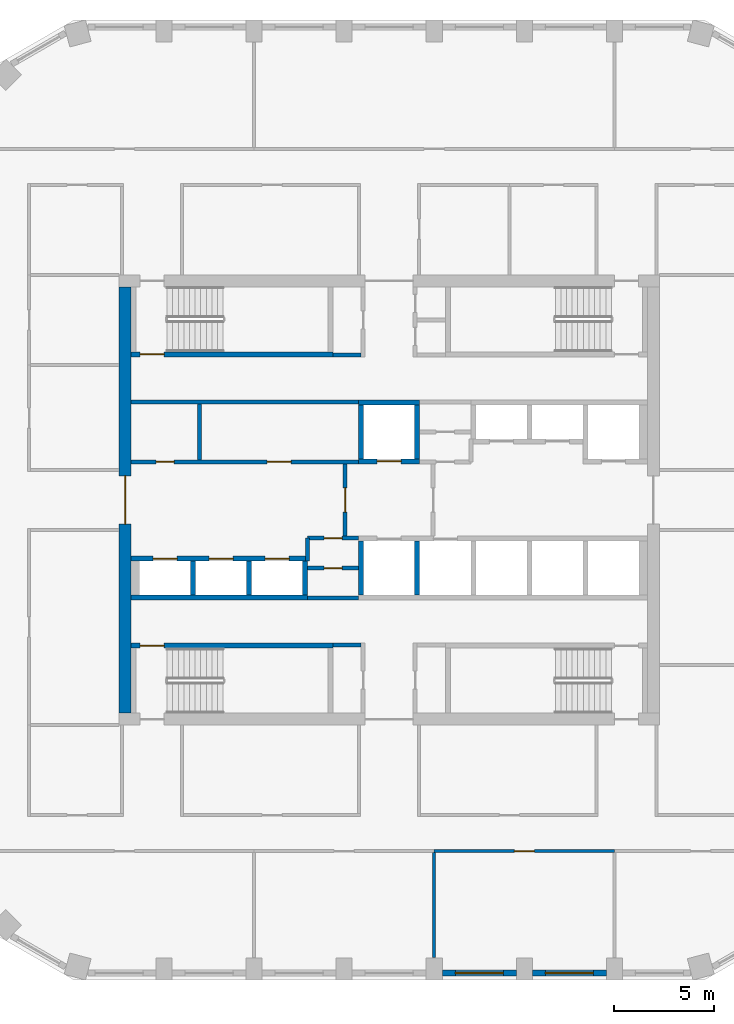
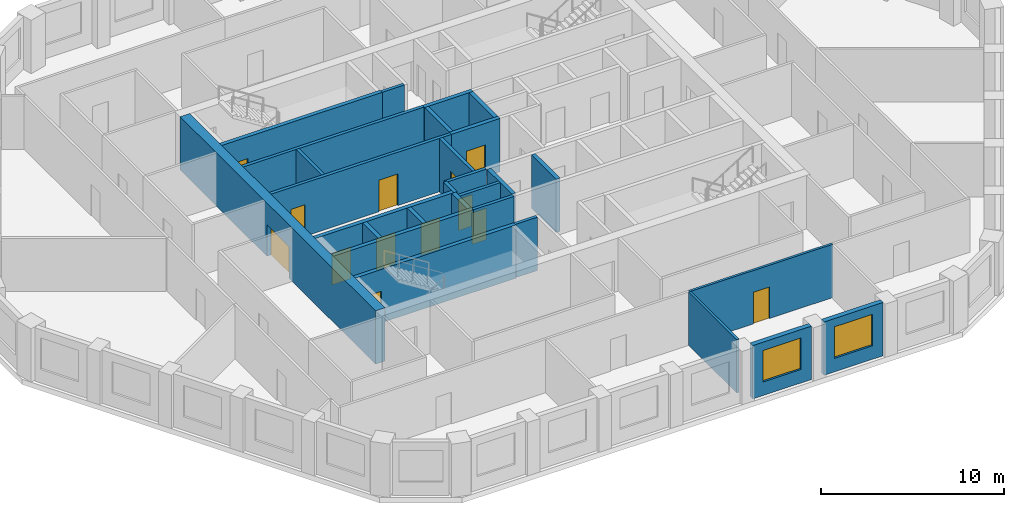
# One storey, part 3 of 9: 28 walls, 13 doors, 2 windows, 15 openings.
"""IFC4 building model written with IfcOpenShell, lengths in metres."""

import ifcopenshell
import ifcopenshell.guid

model = None  # the IFC model being written
_history = None  # IfcOwnerHistory: only IFC2X3 demands one
_inside = {}  # id of a spatial element -> (the spatial element, [elements in it])
_under = {}  # id of a project, library or spatial element -> (it, [spatial elements below it])
_declared = {}  # id of a project -> (the project, [libraries it declares])
_typed = {}  # id of a type object -> (the type object, [elements of that type])
_made_of = {}  # id of a material, layer set ... -> (it, [elements and type objects made of it])


def new_model(schema):
    """Start an empty IFC model of exactly this schema.

    Asked for "IFC4X3", IfcOpenShell would pick the latest addendum, in which some entities
    have other attributes; the version numbers below select the first issue.
    IFC2X3 requires an IfcOwnerHistory on every rooted entity: one is made here for all.
    """
    global model, _history
    if schema == "IFC4X3":
        model = ifcopenshell.file(schema_version=(4, 3, 0, 0))
    else:
        model = ifcopenshell.file(schema=schema)
    _inside.clear()
    _under.clear()
    _declared.clear()
    _typed.clear()
    _made_of.clear()
    _history = None
    if model.schema == "IFC2X3":
        org = make("IfcOrganization", Name="unknown")
        user = make(
            "IfcPersonAndOrganization",
            ThePerson=make("IfcPerson", FamilyName="unknown"),
            TheOrganization=org,
        )
        app = make(
            "IfcApplication",
            ApplicationDeveloper=org,
            Version="unknown",
            ApplicationFullName="unknown",
            ApplicationIdentifier="unknown",
        )
        _history = make(
            "IfcOwnerHistory",
            OwningUser=user,
            OwningApplication=app,
            ChangeAction="ADDED",
            CreationDate=0,
        )
    return model


def make(cls, **values):
    """One entity of the class cls with the attributes given. An attribute that is None is left unset."""
    return model.create_entity(
        cls, **{name: value for name, value in values.items() if value is not None}
    )


def rooted(cls, **values):
    """An entity with a GlobalId (a new one), such as an element, a storey or a relation."""
    return make(cls, GlobalId=ifcopenshell.guid.new(), OwnerHistory=_history, **values)


def si_unit(unit_type, name, prefix=None):
    """IfcSIUnit, for example si_unit("LENGTHUNIT", "METRE", prefix="MILLI")."""
    return make("IfcSIUnit", UnitType=unit_type, Prefix=prefix, Name=name)


def assignment(units):
    """IfcUnitAssignment: the units of a project."""
    return None if units is None else make("IfcUnitAssignment", Units=units)


def point(xyz):
    """IfcCartesianPoint."""
    return None if xyz is None else make("IfcCartesianPoint", Coordinates=xyz)


def direction(xyz):
    """IfcDirection."""
    return None if xyz is None else make("IfcDirection", DirectionRatios=xyz)


def frame(location, z_axis=None, x_axis=None):
    """IfcAxis2Placement3D, a coordinate frame: its origin and axes. An axis left out is left unset."""
    return make(
        "IfcAxis2Placement3D",
        Location=point(location),
        Axis=direction(z_axis),
        RefDirection=direction(x_axis),
    )


def frame_2d(location, x_axis=None):
    """IfcAxis2Placement2D, a coordinate frame in the plane: its origin and x axis."""
    return make(
        "IfcAxis2Placement2D", Location=point(location), RefDirection=direction(x_axis)
    )


def origin():
    """The frame at (0, 0, 0) with its axes left unset."""
    return frame((0.0, 0.0, 0.0))


def place(relative_to, where):
    """IfcLocalPlacement: puts the frame where relative to a parent placement (None: the world)."""
    return make(
        "IfcLocalPlacement", PlacementRelTo=relative_to, RelativePlacement=where
    )


def context(
    kind, dimensions, precision=None, world=None, true_north=None, identifier=None
):
    """IfcGeometricRepresentationContext, for example the 3D "Model" context."""
    return make(
        "IfcGeometricRepresentationContext",
        ContextIdentifier=identifier,
        ContextType=kind,
        CoordinateSpaceDimension=dimensions,
        Precision=precision,
        WorldCoordinateSystem=world,
        TrueNorth=true_north,
    )


def subcontext(parent, identifier, kind, view, scale=None):
    """IfcGeometricRepresentationSubContext, for example "Body" below "Model"."""
    return make(
        "IfcGeometricRepresentationSubContext",
        ContextIdentifier=identifier,
        ContextType=kind,
        ParentContext=parent,
        TargetScale=scale,
        TargetView=view,
    )


def project(units=None, contexts=None):
    """IfcProject with its units and contexts."""
    return rooted(
        "IfcProject",
        Name="project",
        RepresentationContexts=contexts,
        UnitsInContext=assignment(units),
    )


def spatial(cls, under=None, at=None, **own):
    """A site, building, storey or space (cls), placed at a placement, below another one or the project."""
    s = rooted(cls, ObjectPlacement=at, **own)
    if under is not None:
        _under.setdefault(under.id(), (under, []))[1].append(s)
    return s


def polyline(points):
    """IfcPolyline through the points."""
    return make("IfcPolyline", Points=[point(p) for p in points])


def profile(cls, at=None, kind="AREA", **sizes):
    """A parametric profile (cls). Its sizes go by their IFC names, for example OverallWidth=200.0."""
    return make(cls, ProfileType=kind, Position=at, **sizes)


def rectangle(**sizes):
    """IfcRectangleProfileDef."""
    return profile("IfcRectangleProfileDef", **sizes)


def outline(outer, holes=None, kind="AREA"):
    """IfcArbitraryClosedProfileDef: a profile drawn as a closed curve; with holes, ...WithVoids."""
    if holes is None:
        return make("IfcArbitraryClosedProfileDef", ProfileType=kind, OuterCurve=outer)
    return make(
        "IfcArbitraryProfileDefWithVoids",
        ProfileType=kind,
        OuterCurve=outer,
        InnerCurves=holes,
    )


def extrude(swept, where, along, depth):
    """IfcExtrudedAreaSolid: the profile swept, set in the frame where, extruded along a direction by depth."""
    return make(
        "IfcExtrudedAreaSolid",
        SweptArea=swept,
        Position=where,
        ExtrudedDirection=direction(along),
        Depth=depth,
    )


def shape(context_of_items, identifier, shape_type, items):
    """IfcShapeRepresentation: the items that make up one representation, for example the "Body"."""
    return make(
        "IfcShapeRepresentation",
        ContextOfItems=context_of_items,
        RepresentationIdentifier=identifier,
        RepresentationType=shape_type,
        Items=items,
    )


def material(Name=None, Category=None):
    """IfcMaterial."""
    return make("IfcMaterial", Name=Name, Category=Category)


def layer(
    of_material, thickness, ventilated=None, Name=None, Category=None, Priority=None
):
    """IfcMaterialLayer: one layer of a wall or slab, of a material (None: an air gap)."""
    return make(
        "IfcMaterialLayer",
        Material=of_material,
        LayerThickness=thickness,
        IsVentilated=ventilated,
        Name=Name,
        Category=Category,
        Priority=Priority,
    )


def layer_set(layers, Name=None):
    """IfcMaterialLayerSet."""
    return make("IfcMaterialLayerSet", MaterialLayers=layers, LayerSetName=Name)


def made_of(thing, what):
    """Note that an element or type object is made of a material, layer set ...; save() writes the relation."""
    if what is not None:
        _made_of.setdefault(what.id(), (what, []))[1].append(thing)
    return thing


def type_object(cls, material=None, **own):
    """A type object (cls), such as IfcWallType, which elements share."""
    return made_of(rooted(cls, **own), material)


def element(
    cls,
    number,
    at=None,
    inside=None,
    cuts=None,
    type_object=None,
    material=None,
    context=None,
    identifier="Body",
    shape_type=None,
    held_by="IfcProductDefinitionShape",
    body=None,
    shapes=None,
    **own,
):
    """One element of the class cls, such as IfcWall. Its Tag is "e" and its number.

    at: its placement. inside: the storey or other place that contains it. cuts: it is an
    opening in that element (IfcRelVoidsElement). A single representation is given by context,
    identifier, shape_type and body (its items); several are given by shapes. held_by: the class
    of the entity that holds the representations. save() writes the other relations.
    """
    e = rooted(cls, Tag="e%d" % number, ObjectPlacement=at, **own)
    if body is not None:
        shapes = [shape(context, identifier, shape_type, body)]
    if shapes is not None:
        e.Representation = make(held_by, Representations=shapes)
    if inside is not None:
        _inside.setdefault(inside.id(), (inside, []))[1].append(e)
    if cuts is not None:
        rooted(
            "IfcRelVoidsElement", RelatingBuildingElement=cuts, RelatedOpeningElement=e
        )
    if type_object is not None:
        _typed.setdefault(type_object.id(), (type_object, []))[1].append(e)
    return made_of(e, material)


def fill(opening, filler):
    """IfcRelFillsElement: the door or window that sits in an opening."""
    return rooted(
        "IfcRelFillsElement",
        RelatingOpeningElement=opening,
        RelatedBuildingElement=filler,
    )


def aggregate(whole, parts):
    """IfcRelAggregates: a whole, such as a stair, and the parts it consists of."""
    return rooted("IfcRelAggregates", RelatingObject=whole, RelatedObjects=parts)


def save(model, path):
    """Write the relations noted so far, then the file.

    IfcRelAggregates (storeys below a building ...), IfcRelContainedInSpatialStructure (elements
    in a storey), IfcRelDefinesByType, IfcRelAssociatesMaterial and IfcRelDeclares: one each for
    every whole, place, type object, material and project.
    """
    for whole, parts in _under.values():
        aggregate(whole, parts)
    for where, things in _inside.values():
        rooted(
            "IfcRelContainedInSpatialStructure",
            RelatedElements=things,
            RelatingStructure=where,
        )
    for kind, things in _typed.values():
        rooted("IfcRelDefinesByType", RelatedObjects=things, RelatingType=kind)
    for what, things in _made_of.values():
        rooted("IfcRelAssociatesMaterial", RelatedObjects=things, RelatingMaterial=what)
    for by, libraries in _declared.values():
        rooted("IfcRelDeclares", RelatingContext=by, RelatedDefinitions=libraries)
    model.write(path)


model = new_model("IFC4")

# Units and contexts
model_context = context("Model", 3, precision=1e-05, world=origin(), true_north=direction((0.0, 1.0)))
body_context = subcontext(model_context, "Body", "Model", "MODEL_VIEW")
ifc_project = project(units=[si_unit("LENGTHUNIT", "METRE"), si_unit("AREAUNIT", "SQUARE_METRE"), si_unit("VOLUMEUNIT", "CUBIC_METRE"), si_unit("PLANEANGLEUNIT", "RADIAN"), si_unit("MASSUNIT", "GRAM", prefix="KILO")], contexts=[model_context])

# Site, building, storey
site_placement = place(None, origin())
site = spatial("IfcSite", under=ifc_project, at=site_placement, CompositionType="ELEMENT")
building_placement = place(site_placement, origin())
building = spatial("IfcBuilding", under=site, at=building_placement, Name="Dhurran Vertical Campus", CompositionType="ELEMENT")
storey_placement = place(building_placement, frame((0.0, 0.0, 199.5)))
storey = spatial("IfcBuildingStorey", under=building, at=storey_placement, Name="L49", CompositionType="ELEMENT", Elevation=199.5)

# Wall, opening, window
ifc_material_1 = material(Name="Precast concrete C50/60", Category="concrete")
ifc_layer_1 = layer(ifc_material_1, 0.300048828125)
ifc_layer_set_1 = layer_set([ifc_layer_1], Name="Precast concrete C50/60")
wall_type_1 = type_object("IfcWallType", Name="Precast spandrel wall 300", PredefinedType="SOLIDWALL", material=ifc_layer_set_1)
wall_1_placement = place(storey_placement, frame((2.650390625, -23.635498046875, 0.0), z_axis=(0.0, 0.0, 1.0), x_axis=(1.0, 0.0, 0.0)))
wall_1 = element("IfcWall", 1, at=wall_1_placement, inside=storey, type_object=wall_type_1, Name="EW1 L49.04", PredefinedType="SOLIDWALL", context=body_context, shape_type="SweptSolid", body=[
    extrude(rectangle(XDim=3.69921875, YDim=0.300048828125, at=frame_2d((1.849609375, 0.0))), origin(), (0.0, 0.0, 1.0), 3.550048828125),
])
opening_1_placement = place(wall_1_placement, frame((0.6494140625, 0.0, 0.89990234375)))
opening_1 = element("IfcOpeningElement", 2, at=opening_1_placement, cuts=wall_1, Name="Opening WT1", PredefinedType="OPENING", context=body_context, shape_type="SweptSolid", body=[
    extrude(rectangle(XDim=2.39990234375, YDim=2.10009765625, at=frame_2d((1.199951171875, 1.050048828125))), frame((0.0, 0.159912109375, 0.0), z_axis=(0.0, -1.0, 0.0), x_axis=(1.0, 0.0, 0.0)), (0.0, 0.0, 1.0), 0.320068359375),
])
ifc_material_2 = material(Name="Aluminium frame with solar-control glass", Category="aluminium")
window_type = type_object("IfcWindowType", Name="Punched window 2400 x 2100", PartitioningType="SINGLE_PANEL", PredefinedType="WINDOW", material=ifc_material_2)
window_1_placement = place(opening_1_placement, origin())
window_1 = element("IfcWindow", 3, at=window_1_placement, inside=storey, type_object=window_type, Name="WT1 L49.04", OverallHeight=2.10009765625, OverallWidth=2.39990234375, PartitioningType="SINGLE_PANEL", PredefinedType="WINDOW", context=body_context, shape_type="SweptSolid", body=[
    extrude(rectangle(XDim=2.39990234375, YDim=2.10009765625, at=frame_2d((1.199951171875, 1.050048828125))), frame((0.0, 0.030029296875, 0.0), z_axis=(0.0, -1.0, 0.0), x_axis=(1.0, 0.0, 0.0)), (0.0, 0.0, 1.0), 0.06005859375),
])
fill(opening_1, window_1)

wall_2_placement = place(storey_placement, frame((7.150390625, -23.635498046875, 0.0), z_axis=(0.0, 0.0, 1.0), x_axis=(1.0, 0.0, 0.0)))
wall_2 = element("IfcWall", 4, at=wall_2_placement, inside=storey, type_object=wall_type_1, Name="EW1 L49.05", PredefinedType="SOLIDWALL", context=body_context, shape_type="SweptSolid", body=[
    extrude(rectangle(XDim=3.69921875, YDim=0.300048828125, at=frame_2d((1.849609375, 0.0))), origin(), (0.0, 0.0, 1.0), 3.550048828125),
])
opening_2_placement = place(wall_2_placement, frame((0.6494140625, 0.0, 0.89990234375)))
opening_2 = element("IfcOpeningElement", 5, at=opening_2_placement, cuts=wall_2, Name="Opening WT1", PredefinedType="OPENING", context=body_context, shape_type="SweptSolid", body=[
    extrude(rectangle(XDim=2.39990234375, YDim=2.10009765625, at=frame_2d((1.199951171875, 1.050048828125))), frame((0.0, 0.159912109375, 0.0), z_axis=(0.0, -1.0, 0.0), x_axis=(1.0, 0.0, 0.0)), (0.0, 0.0, 1.0), 0.320068359375),
])
window_2_placement = place(opening_2_placement, origin())
window_2 = element("IfcWindow", 6, at=window_2_placement, inside=storey, type_object=window_type, Name="WT1 L49.05", OverallHeight=2.10009765625, OverallWidth=2.39990234375, PartitioningType="SINGLE_PANEL", PredefinedType="WINDOW", context=body_context, shape_type="SweptSolid", body=[
    extrude(rectangle(XDim=2.39990234375, YDim=2.10009765625, at=frame_2d((1.199951171875, 1.050048828125))), frame((0.0, 0.030029296875, 0.0), z_axis=(0.0, -1.0, 0.0), x_axis=(1.0, 0.0, 0.0)), (0.0, 0.0, 1.0), 0.06005859375),
])
fill(opening_2, window_2)

# Wall, opening, door
ifc_material_3 = material(Name="Concrete C50/60", Category="concrete")
ifc_layer_2 = layer(ifc_material_3, 0.60009765625)
ifc_layer_set_2 = layer_set([ifc_layer_2], Name="Concrete C50/60")
wall_type_2 = type_object("IfcWallType", Name="co-CORE-WALL-C2-600", PredefinedType="SHEAR", material=ifc_layer_set_2)
wall_3_placement = place(storey_placement, frame((-13.199951171875, -10.64990234375, 0.0), z_axis=(0.0, 0.0, 1.0), x_axis=(0.0, 1.0, 0.0)))
wall_3 = element("IfcWall", 7, at=wall_3_placement, inside=storey, type_object=wall_type_2, Name="Core wall W L49", PredefinedType="SHEAR", context=body_context, shape_type="SweptSolid", body=[
    extrude(rectangle(XDim=21.2998046875, YDim=0.60009765625, at=frame_2d((10.64990234375, 0.0))), origin(), (0.0, 0.0, 1.0), 3.550048828125),
])
opening_3_placement = place(wall_3_placement, frame((9.449951171875, 0.0, 0.0)))
opening_3 = element("IfcOpeningElement", 8, at=opening_3_placement, cuts=wall_3, Name="Opening CL1", PredefinedType="OPENING", context=body_context, shape_type="SweptSolid", body=[
    extrude(rectangle(XDim=2.39990234375, YDim=2.10009765625, at=frame_2d((1.199951171875, 1.050048828125))), frame((0.0, 0.31005859375, 0.0), z_axis=(0.0, -1.0, 0.0), x_axis=(1.0, 0.0, 0.0)), (0.0, 0.0, 1.0), 0.6201171875),
])
ifc_material_4 = material(Name="Fire-rated glazed door set")
door_type_1 = type_object("IfcDoorType", Name="co-D-LOBBY 2400x2100", OperationType="DOUBLE_DOOR_DOUBLE_SWING", PredefinedType="DOOR", material=ifc_material_4)
door_1_placement = place(opening_3_placement, origin())
door_1 = element("IfcDoor", 9, at=door_1_placement, inside=storey, type_object=door_type_1, Name="Lift lobby door W L49", OperationType="DOUBLE_DOOR_DOUBLE_SWING", OverallHeight=2.10009765625, OverallWidth=2.39990234375, PredefinedType="DOOR", context=body_context, shape_type="SweptSolid", body=[
    extrude(rectangle(XDim=2.39990234375, YDim=2.10009765625, at=frame_2d((1.199951171875, 1.050048828125))), frame((0.0, 0.02490234375, 0.0), z_axis=(0.0, -1.0, 0.0), x_axis=(1.0, 0.0, 0.0)), (0.0, 0.0, 1.0), 0.050048828125),
])
fill(opening_3, door_1)

ifc_material_5 = material(Name="Fire-rated masonry blockwork", Category="masonry")
ifc_layer_3 = layer(ifc_material_5, 0.199951171875)
ifc_layer_set_3 = layer_set([ifc_layer_3], Name="Fire-rated masonry blockwork")
wall_type_3 = type_object("IfcWallType", Name="co-FIRE-PARTITION-200", PredefinedType="PARTITIONING", material=ifc_layer_set_3)
wall_4_placement = place(storey_placement, frame((-2.199951171875, -1.800048828125, 0.0), z_axis=(0.0, 0.0, 1.0), x_axis=(0.0, 1.0, 0.0)))
wall_4 = element("IfcWall", 10, at=wall_4_placement, inside=storey, type_object=wall_type_3, Name="Firefighting lobby wall W L49", PredefinedType="PARTITIONING", context=body_context, shape_type="SweptSolid", body=[
    extrude(rectangle(XDim=3.60009765625, YDim=0.199951171875, at=frame_2d((1.800048828125, 0.0))), origin(), (0.0, 0.0, 1.0), 3.550048828125),
])
opening_4_placement = place(wall_4_placement, frame((1.199951171875, 0.0, 0.0)))
opening_4 = element("IfcOpeningElement", 11, at=opening_4_placement, cuts=wall_4, Name="Opening FL1", PredefinedType="OPENING", context=body_context, shape_type="SweptSolid", body=[
    extrude(rectangle(XDim=1.199951171875, YDim=2.10009765625, at=frame_2d((0.60009765625, 1.050048828125))), frame((0.0, 0.10986328125, 0.0), z_axis=(0.0, -1.0, 0.0), x_axis=(1.0, 0.0, 0.0)), (0.0, 0.0, 1.0), 0.219970703125),
])
ifc_material_6 = material(Name="Fire-rated steel door set", Category="steel")
door_type_2 = type_object("IfcDoorType", Name="co-D-FFLOBBY 1200x2100", OperationType="SINGLE_SWING_LEFT", PredefinedType="DOOR", material=ifc_material_6)
door_2_placement = place(opening_4_placement, origin())
door_2 = element("IfcDoor", 12, at=door_2_placement, inside=storey, type_object=door_type_2, Name="Firefighting lobby door W L49", OperationType="SINGLE_SWING_LEFT", OverallHeight=2.10009765625, OverallWidth=1.199951171875, PredefinedType="DOOR", context=body_context, shape_type="SweptSolid", body=[
    extrude(rectangle(XDim=1.199951171875, YDim=2.10009765625, at=frame_2d((0.60009765625, 1.050048828125))), frame((0.0, 0.02490234375, 0.0), z_axis=(0.0, -1.0, 0.0), x_axis=(1.0, 0.0, 0.0)), (0.0, 0.0, 1.0), 0.050048828125),
])
fill(opening_4, door_2)

# Walls
for number, where, z_axis, x_axis, name in (
    (13, (-2.800048828125, 7.25, 0.0), (0.0, 0.0, 1.0), (1.0, 0.0, 0.0), "Core partition sl-NW-S L49"),
    (14, (-2.800048828125, -7.25, 0.0), (0.0, 0.0, 1.0), (1.0, 0.0, 0.0), "Core partition sl-SW-S L49"),
):
    element("IfcWall", number, at=place(storey_placement, frame(where, z_axis=z_axis, x_axis=x_axis)), inside=storey, type_object=wall_type_3, Name=name, PredefinedType="PARTITIONING", context=body_context, shape_type="SweptSolid", body=[
        extrude(rectangle(XDim=1.400146484375, YDim=0.199951171875, at=frame_2d((0.7001953125, 0.0))), origin(), (0.0, 0.0, 1.0), 3.550048828125),
    ])
wall_5_placement = place(storey_placement, frame((-9.487548828125, 2.0, 0.0), z_axis=(0.0, 0.0, 1.0), x_axis=(0.0, 1.0, 0.0)))
element("IfcWall", 15, at=wall_5_placement, inside=storey, type_object=wall_type_3, Name="Core partition fr-N0-cut0 L49", PredefinedType="PARTITIONING", context=body_context, shape_type="SweptSolid", body=[
    extrude(rectangle(XDim=2.800048828125, YDim=0.199951171875, at=frame_2d((1.39990234375, 0.0))), origin(), (0.0, 0.0, 1.0), 3.550048828125),
])

# Wall, openings, doors
wall_6_placement = place(storey_placement, frame((-12.89990234375, 1.89990234375, 0.0), z_axis=(0.0, 0.0, 1.0), x_axis=(1.0, 0.0, 0.0)))
wall_6 = element("IfcWall", 16, at=wall_6_placement, inside=storey, type_object=wall_type_3, Name="Core partition fr-N0-f L49", PredefinedType="PARTITIONING", context=body_context, shape_type="SweptSolid", body=[
    extrude(rectangle(XDim=11.375, YDim=0.199951171875, at=frame_2d((5.6875, 0.0))), origin(), (0.0, 0.0, 1.0), 3.550048828125),
])
opening_5_placement = place(wall_6_placement, frame((1.25634765625, 0.0, 0.0)))
opening_5 = element("IfcOpeningElement", 17, at=opening_5_placement, cuts=wall_6, Name="Opening T14-C6", PredefinedType="OPENING", context=body_context, shape_type="SweptSolid", body=[
    extrude(rectangle(XDim=0.89990234375, YDim=2.10009765625, at=frame_2d((0.449951171875, 1.050048828125))), frame((0.0, 0.10986328125, 0.0), z_axis=(0.0, -1.0, 0.0), x_axis=(1.0, 0.0, 0.0)), (0.0, 0.0, 1.0), 0.219970703125),
])
opening_6_placement = place(wall_6_placement, frame((6.793701171875, 0.0, 0.0)))
opening_6 = element("IfcOpeningElement", 18, at=opening_6_placement, cuts=wall_6, Name="Opening T14-C7", PredefinedType="OPENING", context=body_context, shape_type="SweptSolid", body=[
    extrude(rectangle(XDim=1.199951171875, YDim=2.10009765625, at=frame_2d((0.60009765625, 1.050048828125))), frame((0.0, 0.10986328125, 0.0), z_axis=(0.0, -1.0, 0.0), x_axis=(1.0, 0.0, 0.0)), (0.0, 0.0, 1.0), 0.219970703125),
])
ifc_material_7 = material(Name="Fire-rated timber door set", Category="wood")
door_type_3 = type_object("IfcDoorType", Name="co-D-ROOM 900x2100", OperationType="SINGLE_SWING_LEFT", PredefinedType="DOOR", material=ifc_material_7)
door_3_placement = place(opening_5_placement, origin())
door_3 = element("IfcDoor", 19, at=door_3_placement, inside=storey, type_object=door_type_3, Name="Housekeeping store door L49", OperationType="SINGLE_SWING_LEFT", OverallHeight=2.10009765625, OverallWidth=0.89990234375, PredefinedType="DOOR", context=body_context, shape_type="SweptSolid", body=[
    extrude(rectangle(XDim=0.89990234375, YDim=2.10009765625, at=frame_2d((0.449951171875, 1.050048828125))), frame((0.0, 0.02490234375, 0.0), z_axis=(0.0, -1.0, 0.0), x_axis=(1.0, 0.0, 0.0)), (0.0, 0.0, 1.0), 0.050048828125),
])
fill(opening_5, door_3)
ifc_material_8 = material(Name="Fire-rated steel door set", Category="steel")
door_type_4 = type_object("IfcDoorType", Name="co-D-ROOM-PASSAGE 1200x2100", OperationType="SINGLE_SWING_RIGHT", PredefinedType="DOOR", material=ifc_material_8)
door_4_placement = place(opening_6_placement, origin())
door_4 = element("IfcDoor", 20, at=door_4_placement, inside=storey, type_object=door_type_4, Name="Store door L49", OperationType="SINGLE_SWING_RIGHT", OverallHeight=2.10009765625, OverallWidth=1.199951171875, PredefinedType="DOOR", context=body_context, shape_type="SweptSolid", body=[
    extrude(rectangle(XDim=1.199951171875, YDim=2.10009765625, at=frame_2d((0.60009765625, 1.050048828125))), frame((0.0, 0.02490234375, 0.0), z_axis=(0.0, -1.0, 0.0), x_axis=(1.0, 0.0, 0.0)), (0.0, 0.0, 1.0), 0.050048828125),
])
fill(opening_6, door_4)

# Wall
wall_7_placement = place(storey_placement, frame((-12.89990234375, 4.89990234375, 0.0), z_axis=(0.0, 0.0, 1.0), x_axis=(1.0, 0.0, 0.0)))
element("IfcWall", 21, at=wall_7_placement, inside=storey, type_object=wall_type_3, Name="Core partition fr-N0-b L49", PredefinedType="PARTITIONING", context=body_context, shape_type="SweptSolid", body=[
    extrude(rectangle(XDim=11.375, YDim=0.199951171875, at=frame_2d((5.6875, 0.0))), origin(), (0.0, 0.0, 1.0), 3.550048828125),
])

# Wall, opening, door
wall_8_placement = place(storey_placement, frame((-4.074951171875, -3.39990234375, 0.0), z_axis=(0.0, 0.0, 1.0), x_axis=(1.0, 0.0, 0.0)))
wall_8 = element("IfcWall", 22, at=wall_8_placement, inside=storey, type_object=wall_type_3, Name="Core partition fr-S0-c L49", PredefinedType="PARTITIONING", context=body_context, shape_type="SweptSolid", body=[
    extrude(rectangle(XDim=2.550048828125, YDim=0.199951171875, at=frame_2d((1.27490234375, 0.0))), origin(), (0.0, 0.0, 1.0), 3.550048828125),
])
opening_7_placement = place(wall_8_placement, frame((0.824951171875, 0.0, 0.0)))
opening_7 = element("IfcOpeningElement", 23, at=opening_7_placement, cuts=wall_8, Name="Opening T14-C10", PredefinedType="OPENING", context=body_context, shape_type="SweptSolid", body=[
    extrude(rectangle(XDim=0.89990234375, YDim=2.10009765625, at=frame_2d((0.449951171875, 1.050048828125))), frame((0.0, 0.10986328125, 0.0), z_axis=(0.0, -1.0, 0.0), x_axis=(1.0, 0.0, 0.0)), (0.0, 0.0, 1.0), 0.219970703125),
])
door_5_placement = place(opening_7_placement, origin())
door_5 = element("IfcDoor", 24, at=door_5_placement, inside=storey, type_object=door_type_3, Name="Store door L49", OperationType="SINGLE_SWING_LEFT", OverallHeight=2.10009765625, OverallWidth=0.89990234375, PredefinedType="DOOR", context=body_context, shape_type="SweptSolid", body=[
    extrude(rectangle(XDim=0.89990234375, YDim=2.10009765625, at=frame_2d((0.449951171875, 1.050048828125))), frame((0.0, 0.02490234375, 0.0), z_axis=(0.0, -1.0, 0.0), x_axis=(1.0, 0.0, 0.0)), (0.0, 0.0, 1.0), 0.050048828125),
])
fill(opening_7, door_5)

wall_9_placement = place(storey_placement, frame((-4.074951171875, -1.89990234375, 0.0), z_axis=(0.0, 0.0, 1.0), x_axis=(1.0, 0.0, 0.0)))
wall_9 = element("IfcWall", 25, at=wall_9_placement, inside=storey, type_object=wall_type_3, Name="Core partition fr-S0-f L49", PredefinedType="PARTITIONING", context=body_context, shape_type="SweptSolid", body=[
    extrude(rectangle(XDim=2.550048828125, YDim=0.199951171875, at=frame_2d((1.27490234375, 0.0))), origin(), (0.0, 0.0, 1.0), 3.550048828125),
])
opening_8_placement = place(wall_9_placement, frame((0.824951171875, 0.0, 0.0)))
opening_8 = element("IfcOpeningElement", 26, at=opening_8_placement, cuts=wall_9, Name="Opening T14-C11", PredefinedType="OPENING", context=body_context, shape_type="SweptSolid", body=[
    extrude(rectangle(XDim=0.89990234375, YDim=2.10009765625, at=frame_2d((0.449951171875, 1.050048828125))), frame((0.0, 0.10986328125, 0.0), z_axis=(0.0, -1.0, 0.0), x_axis=(1.0, 0.0, 0.0)), (0.0, 0.0, 1.0), 0.219970703125),
])
door_6_placement = place(opening_8_placement, origin())
door_6 = element("IfcDoor", 27, at=door_6_placement, inside=storey, type_object=door_type_3, Name="Pantry door L49", OperationType="SINGLE_SWING_LEFT", OverallHeight=2.10009765625, OverallWidth=0.89990234375, PredefinedType="DOOR", context=body_context, shape_type="SweptSolid", body=[
    extrude(rectangle(XDim=0.89990234375, YDim=2.10009765625, at=frame_2d((0.449951171875, 1.050048828125))), frame((0.0, 0.02490234375, 0.0), z_axis=(0.0, -1.0, 0.0), x_axis=(1.0, 0.0, 0.0)), (0.0, 0.0, 1.0), 0.050048828125),
])
fill(opening_8, door_6)

# Walls
wall_10_placement = place(storey_placement, frame((-4.074951171875, -4.89990234375, 0.0), z_axis=(0.0, 0.0, 1.0), x_axis=(1.0, 0.0, 0.0)))
element("IfcWall", 28, at=wall_10_placement, inside=storey, type_object=wall_type_3, Name="Core partition fr-S0-b L49", PredefinedType="PARTITIONING", context=body_context, shape_type="SweptSolid", body=[
    extrude(rectangle(XDim=2.550048828125, YDim=0.199951171875, at=frame_2d((1.27490234375, 0.0))), origin(), (0.0, 0.0, 1.0), 3.550048828125),
])
wall_11_placement = place(storey_placement, frame((-4.074951171875, -1.89990234375, 0.0), z_axis=(0.0, 0.0, 1.0), x_axis=(0.0, -1.0, 0.0)))
element("IfcWall", 29, at=wall_11_placement, inside=storey, type_object=wall_type_3, Name="Core partition fr-S0-n0 L49", PredefinedType="PARTITIONING", context=body_context, shape_type="SweptSolid", body=[
    extrude(rectangle(XDim=1.150146484375, YDim=0.199951171875, at=frame_2d((0.5751953125, 0.0))), origin(), (0.0, 0.0, 1.0), 3.550048828125),
])

# Wall, opening, door
ifc_material_9 = material(Name="Concrete C50/60", Category="concrete")
ifc_layer_4 = layer(ifc_material_9, 0.25)
ifc_layer_set_4 = layer_set([ifc_layer_4], Name="Concrete C50/60")
wall_type_4 = type_object("IfcWallType", Name="co-SHAFT-FRONT-250", PredefinedType="SHEAR", material=ifc_layer_set_4)
wall_12_placement = place(storey_placement, frame((-1.52490234375, 1.925048828125, 0.0), z_axis=(0.0, 0.0, 1.0), x_axis=(1.0, 0.0, 0.0)))
wall_12 = element("IfcWall", 30, at=wall_12_placement, inside=storey, type_object=wall_type_4, Name="Lift landing wall N L49", PredefinedType="SHEAR", context=body_context, shape_type="SweptSolid", body=[
    extrude(rectangle(XDim=3.0498046875, YDim=0.25, at=frame_2d((1.52490234375, 0.0))), origin(), (0.0, 0.0, 1.0), 3.550048828125),
])
opening_9_placement = place(wall_12_placement, frame((0.925048828125, 0.0, 0.0)))
opening_9 = element("IfcOpeningElement", 31, at=opening_9_placement, cuts=wall_12, Name="Opening LD", PredefinedType="OPENING", context=body_context, shape_type="SweptSolid", body=[
    extrude(rectangle(XDim=1.199951171875, YDim=2.10009765625, at=frame_2d((0.60009765625, 1.050048828125))), frame((0.0, 0.135009765625, 0.0), z_axis=(0.0, -1.0, 0.0), x_axis=(1.0, 0.0, 0.0)), (0.0, 0.0, 1.0), 0.27001953125),
])
ifc_material_10 = material(Name="Stainless steel landing door", Category="steel")
door_type_5 = type_object("IfcDoorType", Name="co-D-LANDING 1200x2100", OperationType="DOUBLE_DOOR_SLIDING", PredefinedType="DOOR", material=ifc_material_10)
door_7_placement = place(opening_9_placement, origin())
door_7 = element("IfcDoor", 32, at=door_7_placement, inside=storey, type_object=door_type_5, Name="Landing door FF1 L49", OperationType="DOUBLE_DOOR_SLIDING", OverallHeight=2.10009765625, OverallWidth=1.199951171875, PredefinedType="DOOR", context=body_context, shape_type="SweptSolid", body=[
    extrude(rectangle(XDim=1.199951171875, YDim=2.10009765625, at=frame_2d((0.60009765625, 1.050048828125))), frame((0.0, 0.02490234375, 0.0), z_axis=(0.0, -1.0, 0.0), x_axis=(1.0, 0.0, 0.0)), (0.0, 0.0, 1.0), 0.050048828125),
])
fill(opening_9, door_7)

# Wall, openings, doors
wall_13_placement = place(storey_placement, frame((-12.89990234375, -2.925048828125, 0.0), z_axis=(0.0, 0.0, 1.0), x_axis=(1.0, 0.0, 0.0)))
wall_13 = element("IfcWall", 33, at=wall_13_placement, inside=storey, type_object=wall_type_4, Name="Lift landing wall S L49", PredefinedType="SHEAR", context=body_context, shape_type="SweptSolid", body=[
    extrude(rectangle(XDim=8.824951171875, YDim=0.25, at=frame_2d((4.41259765625, 0.0))), origin(), (0.0, 0.0, 1.0), 3.550048828125),
])
opening_10_placement = place(wall_13_placement, frame((1.10009765625, 0.0, 0.0)))
opening_10 = element("IfcOpeningElement", 34, at=opening_10_placement, cuts=wall_13, Name="Opening LD", PredefinedType="OPENING", context=body_context, shape_type="SweptSolid", body=[
    extrude(rectangle(XDim=1.199951171875, YDim=2.10009765625, at=frame_2d((0.60009765625, 1.050048828125))), frame((0.0, 0.135009765625, 0.0), z_axis=(0.0, -1.0, 0.0), x_axis=(1.0, 0.0, 0.0)), (0.0, 0.0, 1.0), 0.27001953125),
])
opening_11_placement = place(wall_13_placement, frame((3.89990234375, 0.0, 0.0)))
opening_11 = element("IfcOpeningElement", 35, at=opening_11_placement, cuts=wall_13, Name="Opening LD", PredefinedType="OPENING", context=body_context, shape_type="SweptSolid", body=[
    extrude(rectangle(XDim=1.199951171875, YDim=2.10009765625, at=frame_2d((0.60009765625, 1.050048828125))), frame((0.0, 0.135009765625, 0.0), z_axis=(0.0, -1.0, 0.0), x_axis=(1.0, 0.0, 0.0)), (0.0, 0.0, 1.0), 0.27001953125),
])
opening_12_placement = place(wall_13_placement, frame((6.699951171875, 0.0, 0.0)))
opening_12 = element("IfcOpeningElement", 36, at=opening_12_placement, cuts=wall_13, Name="Opening LD", PredefinedType="OPENING", context=body_context, shape_type="SweptSolid", body=[
    extrude(rectangle(XDim=1.199951171875, YDim=2.10009765625, at=frame_2d((0.60009765625, 1.050048828125))), frame((0.0, 0.135009765625, 0.0), z_axis=(0.0, -1.0, 0.0), x_axis=(1.0, 0.0, 0.0)), (0.0, 0.0, 1.0), 0.27001953125),
])
door_8_placement = place(opening_10_placement, origin())
door_8 = element("IfcDoor", 37, at=door_8_placement, inside=storey, type_object=door_type_5, Name="Landing door MR3 L49", OperationType="DOUBLE_DOOR_SLIDING", OverallHeight=2.10009765625, OverallWidth=1.199951171875, PredefinedType="DOOR", context=body_context, shape_type="SweptSolid", body=[
    extrude(rectangle(XDim=1.199951171875, YDim=2.10009765625, at=frame_2d((0.60009765625, 1.050048828125))), frame((0.0, 0.02490234375, 0.0), z_axis=(0.0, -1.0, 0.0), x_axis=(1.0, 0.0, 0.0)), (0.0, 0.0, 1.0), 0.050048828125),
])
fill(opening_10, door_8)
door_9_placement = place(opening_11_placement, origin())
door_9 = element("IfcDoor", 38, at=door_9_placement, inside=storey, type_object=door_type_5, Name="Landing door MR4 L49", OperationType="DOUBLE_DOOR_SLIDING", OverallHeight=2.10009765625, OverallWidth=1.199951171875, PredefinedType="DOOR", context=body_context, shape_type="SweptSolid", body=[
    extrude(rectangle(XDim=1.199951171875, YDim=2.10009765625, at=frame_2d((0.60009765625, 1.050048828125))), frame((0.0, 0.02490234375, 0.0), z_axis=(0.0, -1.0, 0.0), x_axis=(1.0, 0.0, 0.0)), (0.0, 0.0, 1.0), 0.050048828125),
])
fill(opening_11, door_9)
door_10_placement = place(opening_12_placement, origin())
door_10 = element("IfcDoor", 39, at=door_10_placement, inside=storey, type_object=door_type_5, Name="Landing door MR5 L49", OperationType="DOUBLE_DOOR_SLIDING", OverallHeight=2.10009765625, OverallWidth=1.199951171875, PredefinedType="DOOR", context=body_context, shape_type="SweptSolid", body=[
    extrude(rectangle(XDim=1.199951171875, YDim=2.10009765625, at=frame_2d((0.60009765625, 1.050048828125))), frame((0.0, 0.02490234375, 0.0), z_axis=(0.0, -1.0, 0.0), x_axis=(1.0, 0.0, 0.0)), (0.0, 0.0, 1.0), 0.050048828125),
])
fill(opening_12, door_10)

# Walls
ifc_material_11 = material(Name="Concrete C50/60", Category="concrete")
ifc_layer_5 = layer(ifc_material_11, 0.25)
ifc_layer_set_5 = layer_set([ifc_layer_5], Name="Concrete C50/60")
wall_type_5 = type_object("IfcWallType", Name="co-SHAFT-MASS-250", PredefinedType="SHEAR", material=ifc_layer_set_5)
wall_14_placement = place(storey_placement, origin())
element("IfcWall", 40, at=wall_14_placement, inside=storey, type_object=wall_type_5, Name="Lift shaft wall N L49 1", PredefinedType="SHEAR", context=body_context, shape_type="SweptSolid", body=[
    extrude(outline(polyline([(-1.52490234375, 4.75), (1.52490234375, 4.75), (1.52490234375, 5.0), (-1.52490234375, 5.0), (-1.52490234375, 4.75)])), origin(), (0.0, 0.0, 1.0), 3.550048828125),
])
wall_15_placement = place(storey_placement, origin())
element("IfcWall", 41, at=wall_15_placement, inside=storey, type_object=wall_type_5, Name="Lift shaft wall N L49 3", PredefinedType="SHEAR", context=body_context, shape_type="SweptSolid", body=[
    extrude(outline(polyline([(-1.52490234375, 2.050048828125), (-1.27490234375, 2.050048828125), (-1.27490234375, 4.75), (-1.52490234375, 4.75), (-1.52490234375, 2.050048828125)])), origin(), (0.0, 0.0, 1.0), 3.550048828125),
])
wall_16_placement = place(storey_placement, origin())
element("IfcWall", 42, at=wall_16_placement, inside=storey, type_object=wall_type_5, Name="Lift shaft wall N L49 4", PredefinedType="SHEAR", context=body_context, shape_type="SweptSolid", body=[
    extrude(outline(polyline([(1.27490234375, 2.050048828125), (1.52490234375, 2.050048828125), (1.52490234375, 4.75), (1.27490234375, 4.75), (1.27490234375, 2.050048828125)])), origin(), (0.0, 0.0, 1.0), 3.550048828125),
])
wall_17_placement = place(storey_placement, origin())
element("IfcWall", 43, at=wall_17_placement, inside=storey, type_object=wall_type_5, Name="Lift shaft wall S L49 1", PredefinedType="SHEAR", context=body_context, shape_type="SweptSolid", body=[
    extrude(outline(polyline([(-12.89990234375, -5.0), (-4.074951171875, -5.0), (-4.074951171875, -4.75), (-12.89990234375, -4.75), (-12.89990234375, -5.0)])), origin(), (0.0, 0.0, 1.0), 3.550048828125),
])
wall_18_placement = place(storey_placement, origin())
element("IfcWall", 44, at=wall_18_placement, inside=storey, type_object=wall_type_5, Name="Lift shaft wall S L49 4", PredefinedType="SHEAR", context=body_context, shape_type="SweptSolid", body=[
    extrude(outline(polyline([(-9.925048828125, -4.75), (-9.675048828125, -4.75), (-9.675048828125, -3.050048828125), (-9.925048828125, -3.050048828125), (-9.925048828125, -4.75)])), origin(), (0.0, 0.0, 1.0), 3.550048828125),
])
wall_19_placement = place(storey_placement, origin())
element("IfcWall", 45, at=wall_19_placement, inside=storey, type_object=wall_type_5, Name="Lift shaft wall S L49 5", PredefinedType="SHEAR", context=body_context, shape_type="SweptSolid", body=[
    extrude(outline(polyline([(-7.125, -4.75), (-6.875, -4.75), (-6.875, -3.050048828125), (-7.125, -3.050048828125), (-7.125, -4.75)])), origin(), (0.0, 0.0, 1.0), 3.550048828125),
])
wall_20_placement = place(storey_placement, origin())
element("IfcWall", 46, at=wall_20_placement, inside=storey, type_object=wall_type_5, Name="Lift shaft wall S L49 6", PredefinedType="SHEAR", context=body_context, shape_type="SweptSolid", body=[
    extrude(outline(polyline([(-4.324951171875, -4.75), (-4.074951171875, -4.75), (-4.074951171875, -3.050048828125), (-4.324951171875, -3.050048828125), (-4.324951171875, -4.75)])), origin(), (0.0, 0.0, 1.0), 3.550048828125),
])
wall_21_placement = place(storey_placement, origin())
element("IfcWall", 47, at=wall_21_placement, inside=storey, type_object=wall_type_5, Name="Lift shaft wall S L49 7", PredefinedType="SHEAR", context=body_context, shape_type="SweptSolid", body=[
    extrude(outline(polyline([(-1.52490234375, -4.75), (-1.27490234375, -4.75), (-1.27490234375, -2.050048828125), (-1.52490234375, -2.050048828125), (-1.52490234375, -4.75)])), origin(), (0.0, 0.0, 1.0), 3.550048828125),
])
wall_22_placement = place(storey_placement, origin())
element("IfcWall", 48, at=wall_22_placement, inside=storey, type_object=wall_type_5, Name="Lift shaft wall S L49 8", PredefinedType="SHEAR", context=body_context, shape_type="SweptSolid", body=[
    extrude(outline(polyline([(1.27490234375, -4.75), (1.52490234375, -4.75), (1.52490234375, -2.050048828125), (1.27490234375, -2.050048828125), (1.27490234375, -4.75)])), origin(), (0.0, 0.0, 1.0), 3.550048828125),
])

# Wall, opening, door
ifc_material_12 = material(Name="Concrete C40/50", Category="concrete")
ifc_layer_6 = layer(ifc_material_12, 0.25)
ifc_layer_set_6 = layer_set([ifc_layer_6], Name="Concrete C40/50")
wall_type_6 = type_object("IfcWallType", Name="co-STAIR-WALL-250", PredefinedType="SHEAR", material=ifc_layer_set_6)
wall_23_placement = place(storey_placement, frame((-12.89990234375, 7.27490234375, 0.0), z_axis=(0.0, 0.0, 1.0), x_axis=(1.0, 0.0, 0.0)))
wall_23 = element("IfcWall", 49, at=wall_23_placement, inside=storey, type_object=wall_type_6, Name="Stair ST1 enclosure wall L49", PredefinedType="SHEAR", context=body_context, shape_type="SweptSolid", body=[
    extrude(rectangle(XDim=10.099853515625, YDim=0.25, at=frame_2d((5.0498046875, 0.0))), origin(), (0.0, 0.0, 1.0), 3.550048828125),
])
opening_13_placement = place(wall_23_placement, frame((0.449951171875, 0.0, 0.0)))
opening_13 = element("IfcOpeningElement", 50, at=opening_13_placement, cuts=wall_23, Name="Opening SD1", PredefinedType="OPENING", context=body_context, shape_type="SweptSolid", body=[
    extrude(rectangle(XDim=1.199951171875, YDim=2.10009765625, at=frame_2d((0.60009765625, 1.050048828125))), frame((0.0, 0.135009765625, 0.0), z_axis=(0.0, -1.0, 0.0), x_axis=(1.0, 0.0, 0.0)), (0.0, 0.0, 1.0), 0.27001953125),
])
ifc_material_13 = material(Name="Fire-rated steel door set", Category="steel")
door_type_6 = type_object("IfcDoorType", Name="co-D-STAIR 1200x2100", OperationType="SINGLE_SWING_LEFT", PredefinedType="DOOR", material=ifc_material_13)
door_11_placement = place(opening_13_placement, origin())
door_11 = element("IfcDoor", 51, at=door_11_placement, inside=storey, type_object=door_type_6, Name="Stair ST1 door L49", OperationType="SINGLE_SWING_LEFT", OverallHeight=2.10009765625, OverallWidth=1.199951171875, PredefinedType="DOOR", context=body_context, shape_type="SweptSolid", body=[
    extrude(rectangle(XDim=1.199951171875, YDim=2.10009765625, at=frame_2d((0.60009765625, 1.050048828125))), frame((0.0, 0.02490234375, 0.0), z_axis=(0.0, -1.0, 0.0), x_axis=(1.0, 0.0, 0.0)), (0.0, 0.0, 1.0), 0.050048828125),
])
fill(opening_13, door_11)

wall_24_placement = place(storey_placement, frame((-12.89990234375, -7.27490234375, 0.0), z_axis=(0.0, 0.0, 1.0), x_axis=(1.0, 0.0, 0.0)))
wall_24 = element("IfcWall", 52, at=wall_24_placement, inside=storey, type_object=wall_type_6, Name="Stair ST3 enclosure wall L49", PredefinedType="SHEAR", context=body_context, shape_type="SweptSolid", body=[
    extrude(rectangle(XDim=10.099853515625, YDim=0.25, at=frame_2d((5.0498046875, 0.0))), origin(), (0.0, 0.0, 1.0), 3.550048828125),
])
opening_14_placement = place(wall_24_placement, frame((0.449951171875, 0.0, 0.0)))
opening_14 = element("IfcOpeningElement", 53, at=opening_14_placement, cuts=wall_24, Name="Opening SD3", PredefinedType="OPENING", context=body_context, shape_type="SweptSolid", body=[
    extrude(rectangle(XDim=1.199951171875, YDim=2.10009765625, at=frame_2d((0.60009765625, 1.050048828125))), frame((0.0, 0.135009765625, 0.0), z_axis=(0.0, -1.0, 0.0), x_axis=(1.0, 0.0, 0.0)), (0.0, 0.0, 1.0), 0.27001953125),
])
door_12_placement = place(opening_14_placement, origin())
door_12 = element("IfcDoor", 54, at=door_12_placement, inside=storey, type_object=door_type_6, Name="Stair ST3 door L49", OperationType="SINGLE_SWING_LEFT", OverallHeight=2.10009765625, OverallWidth=1.199951171875, PredefinedType="DOOR", context=body_context, shape_type="SweptSolid", body=[
    extrude(rectangle(XDim=1.199951171875, YDim=2.10009765625, at=frame_2d((0.60009765625, 1.050048828125))), frame((0.0, 0.02490234375, 0.0), z_axis=(0.0, -1.0, 0.0), x_axis=(1.0, 0.0, 0.0)), (0.0, 0.0, 1.0), 0.050048828125),
])
fill(opening_14, door_12)

ifc_material_14 = material(Name="Gypsum board corridor wall on steel studs", Category="steel")
ifc_layer_7 = layer(ifc_material_14, 0.14990234375)
ifc_layer_set_7 = layer_set([ifc_layer_7], Name="Gypsum board corridor wall on steel studs")
wall_type_7 = type_object("IfcWallType", Name="fl-CW-150 corridor wall", PredefinedType="PARTITIONING", material=ifc_layer_set_7)
wall_25_placement = place(storey_placement, frame((2.25, -17.550048828125, 0.0), z_axis=(0.0, 0.0, 1.0), x_axis=(1.0, 0.0, 0.0)))
wall_25 = element("IfcWall", 55, at=wall_25_placement, inside=storey, type_object=wall_type_7, Name="Partition 49-41", PredefinedType="PARTITIONING", context=body_context, shape_type="SweptSolid", body=[
    extrude(rectangle(XDim=9.0, YDim=0.14990234375, at=frame_2d((4.5, 0.0))), origin(), (0.0, 0.0, 1.0), 3.550048828125),
])
opening_15_placement = place(wall_25_placement, frame((4.0, 0.0, 0.0)))
opening_15 = element("IfcOpeningElement", 56, at=opening_15_placement, cuts=wall_25, Name="Opening T14.17", PredefinedType="OPENING", context=body_context, shape_type="SweptSolid", body=[
    extrude(rectangle(XDim=1.0, YDim=2.10009765625, at=frame_2d((0.5, 1.050048828125))), frame((0.0, 0.0849609375, 0.0), z_axis=(0.0, -1.0, 0.0), x_axis=(1.0, 0.0, 0.0)), (0.0, 0.0, 1.0), 0.169921875),
])
ifc_material_15 = material(Name="Solid-core timber door set, fire-rated", Category="wood")
door_type_7 = type_object("IfcDoorType", Name="fl-D-1000x2100", OperationType="SINGLE_SWING_LEFT", PredefinedType="DOOR", material=ifc_material_15)
door_13_placement = place(opening_15_placement, origin())
door_13 = element("IfcDoor", 57, at=door_13_placement, inside=storey, type_object=door_type_7, Name="Door 49.17", OperationType="SINGLE_SWING_RIGHT", OverallHeight=2.10009765625, OverallWidth=1.0, PredefinedType="DOOR", context=body_context, shape_type="SweptSolid", body=[
    extrude(rectangle(XDim=1.0, YDim=2.10009765625, at=frame_2d((0.5, 1.050048828125))), frame((0.0, 0.02490234375, 0.0), z_axis=(0.0, -1.0, 0.0), x_axis=(1.0, 0.0, 0.0)), (0.0, 0.0, 1.0), 0.050048828125),
])
fill(opening_15, door_13)

# Wall
ifc_material_16 = material(Name="Gypsum board partition on steel studs", Category="steel")
ifc_layer_8 = layer(ifc_material_16, 0.14990234375)
ifc_layer_set_8 = layer_set([ifc_layer_8], Name="Gypsum board partition on steel studs")
wall_type_8 = type_object("IfcWallType", Name="fl-PW-150 fixed partition", PredefinedType="PARTITIONING", material=ifc_layer_set_8)
wall_26_placement = place(storey_placement, frame((2.25, -17.625, 0.0), z_axis=(0.0, 0.0, 1.0), x_axis=(0.0, -1.0, 0.0)))
element("IfcWall", 58, at=wall_26_placement, inside=storey, type_object=wall_type_8, Name="Partition 49-40", PredefinedType="PARTITIONING", context=body_context, shape_type="SweptSolid", body=[
    extrude(rectangle(XDim=5.240478515625, YDim=0.14990234375, at=frame_2d((2.6201171875, 0.0))), origin(), (0.0, 0.0, 1.0), 3.550048828125),
])

save(model, "model.ifc")
